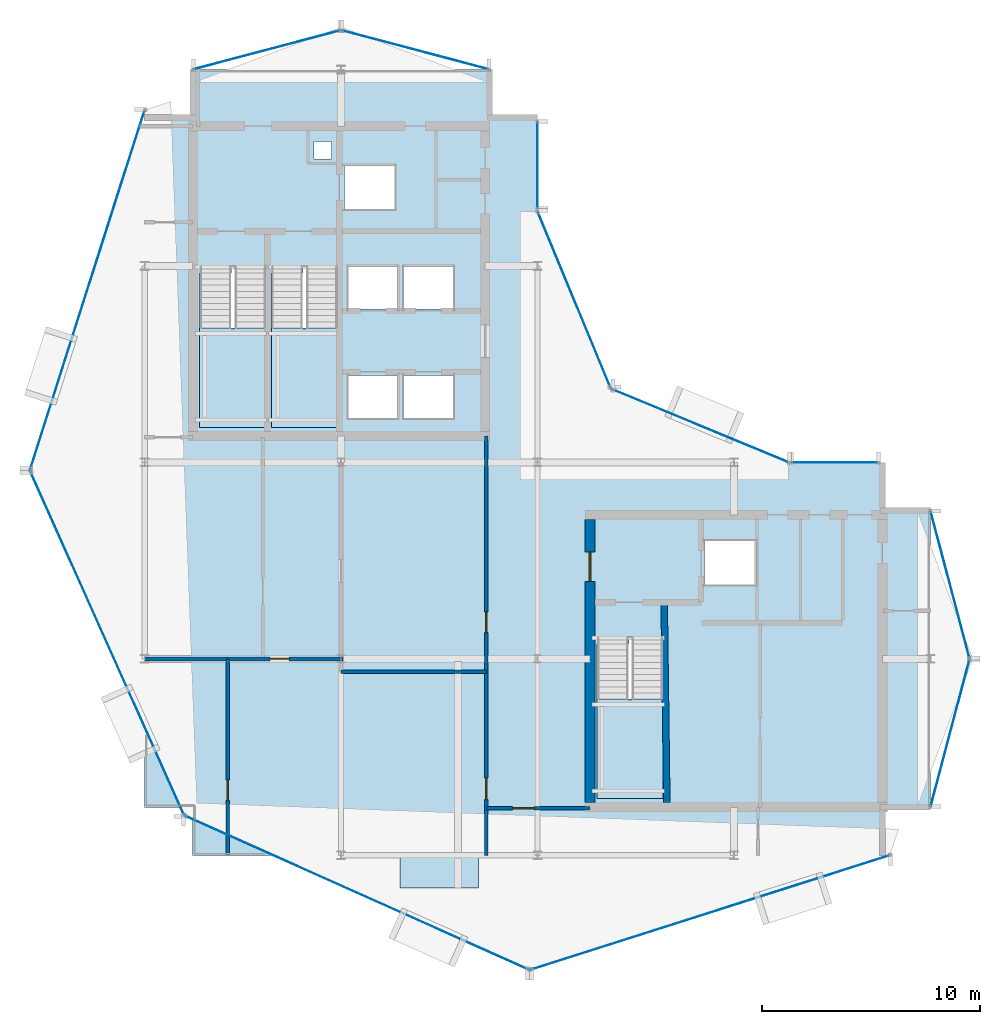
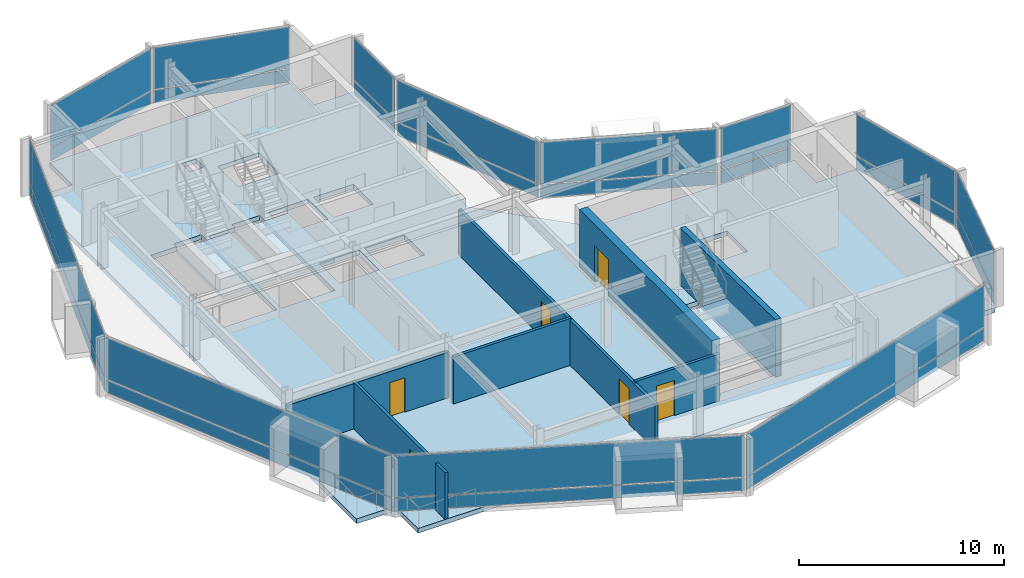
# One storey, part 13 of 19: 24 plates, 7 walls, 6 doors, 5 slabs, 6 openings, 15 elements without a shape of their own.
"""IFC4 building model written with IfcOpenShell, lengths in metres."""

from ifc_helpers import new_model, si_unit, direction, frame, frame_2d, origin, origin_2d, place, context, subcontext, project, spatial, polyline, rectangle, outline, extrude, material, layer, layer_set, type_object, element, fill, aggregate, save


model = new_model("IFC4")

# Units and contexts
model_context = context("Model", 3, precision=1e-05, world=origin(), true_north=direction((0.0, 1.0)))
body_context = subcontext(model_context, "Body", "Model", "MODEL_VIEW")
ifc_project = project(units=[si_unit("LENGTHUNIT", "METRE"), si_unit("AREAUNIT", "SQUARE_METRE"), si_unit("VOLUMEUNIT", "CUBIC_METRE"), si_unit("PLANEANGLEUNIT", "RADIAN"), si_unit("MASSUNIT", "GRAM", prefix="KILO")], contexts=[model_context])

# Site, building, storey
site_placement = place(None, origin())
site = spatial("IfcSite", under=ifc_project, at=site_placement, CompositionType="ELEMENT")
building_placement = place(site_placement, origin())
building = spatial("IfcBuilding", under=site, at=building_placement, Name="Solvaryn Broadcast Tower", CompositionType="ELEMENT")
storey_placement = place(building_placement, frame((0.0, 0.0, 277.800048828125)))
storey = spatial("IfcBuildingStorey", under=building, at=storey_placement, Name="L70", CompositionType="ELEMENT", Elevation=277.800048828125)

# Curtain wall, plates
ifc_material_1 = material(Name="Aluminium and Terracotta Unitised Curtain Wall", Category="masonry")
ifc_layer_1 = layer(ifc_material_1, 0.199951171875)
ifc_layer_set_1 = layer_set([ifc_layer_1], Name="CW-SYS2-LOWMID")
curtain_wall_type_1 = type_object("IfcCurtainWallType", Name="CW-SYS2-LOWMID", PredefinedType="NOTDEFINED", material=ifc_layer_set_1)
curtain_wall_1_placement = place(storey_placement, origin())
curtain_wall_1 = element("IfcCurtainWall", 1, at=curtain_wall_1_placement, inside=storey, type_object=curtain_wall_type_1, Name="L70 Curtain Wall DR1", PredefinedType="NOTDEFINED")
ifc_material_2 = material(Name="Kiln-Fired Architectural Terracotta Spandrel", Category="masonry")
ifc_layer_2 = layer(ifc_material_2, 0.048095703125)
ifc_layer_set_2 = layer_set([ifc_layer_2], Name="CW-PNL-TERRACOTTA")
plate_type = type_object("IfcPlateType", Name="CW-PNL-TERRACOTTA", PredefinedType="CURTAIN_PANEL", material=ifc_layer_set_2)
plate_1_placement = place(storey_placement, frame((6.368896484375, 34.892578125, 0.06005859375), z_axis=(0.0, 0.0, 1.0), x_axis=(-0.30361564569, -0.952794594701, 0.0)))
plate_1 = element("IfcPlate", 2, at=plate_1_placement, type_object=plate_type, Name="CWS2 panel 1.1", PredefinedType="CURTAIN_PANEL", context=body_context, shape_type="SweptSolid", body=[
    extrude(rectangle(XDim=17.211181640625, YDim=0.028076171875, at=origin_2d()), origin(), (0.0, 0.0, 1.0), 0.760009765625),
])
plate_2_placement = place(storey_placement, frame((6.368896484375, 34.892578125, 0.8798828125), z_axis=(0.0, 0.0, 1.0), x_axis=(-0.30361564569, -0.952794594701, 0.0)))
plate_2 = element("IfcPlate", 3, at=plate_2_placement, type_object=plate_type, Name="CWS2 panel 1.2", PredefinedType="CURTAIN_PANEL", context=body_context, shape_type="SweptSolid", body=[
    extrude(rectangle(XDim=17.211181640625, YDim=0.028076171875, at=origin_2d()), origin(), (0.0, 0.0, 1.0), 2.47998046875),
])
aggregate(curtain_wall_1, [plate_1, plate_2])

ifc_material_3 = material(Name="Aluminium and Terracotta Unitised Curtain Wall", Category="masonry")
ifc_layer_3 = layer(ifc_material_3, 0.239990234375)
ifc_layer_set_3 = layer_set([ifc_layer_3], Name="CW-SYS3-BAYBOX")
curtain_wall_type_2 = type_object("IfcCurtainWallType", Name="CW-SYS3-BAYBOX", PredefinedType="NOTDEFINED", material=ifc_layer_set_3)
curtain_wall_2_placement = place(storey_placement, origin())
curtain_wall_2 = element("IfcCurtainWall", 4, at=curtain_wall_2_placement, inside=storey, type_object=curtain_wall_type_2, Name="L70 Curtain Wall DR2", PredefinedType="NOTDEFINED")
plate_3_placement = place(storey_placement, frame((7.277587890625, 18.7265625, 0.06005859375), z_axis=(0.0, 0.0, 1.0), x_axis=(0.408466010682, -0.912773530574, 0.0)))
plate_3 = element("IfcPlate", 5, at=plate_3_placement, type_object=plate_type, Name="CWS3 panel 1.1", PredefinedType="CURTAIN_PANEL", context=body_context, shape_type="SweptSolid", body=[
    extrude(rectangle(XDim=17.210693359375, YDim=0.028076171875, at=origin_2d()), origin(), (0.0, 0.0, 1.0), 0.760009765625),
])
plate_4_placement = place(storey_placement, frame((7.277587890625, 18.7265625, 0.8798828125), z_axis=(0.0, 0.0, 1.0), x_axis=(0.408466010682, -0.912773530574, 0.0)))
plate_4 = element("IfcPlate", 6, at=plate_4_placement, type_object=plate_type, Name="CWS3 panel 1.2", PredefinedType="CURTAIN_PANEL", context=body_context, shape_type="SweptSolid", body=[
    extrude(rectangle(XDim=17.210693359375, YDim=0.028076171875, at=origin_2d()), origin(), (0.0, 0.0, 1.0), 2.47998046875),
])
aggregate(curtain_wall_2, [plate_3, plate_4])

curtain_wall_3_placement = place(storey_placement, origin())
curtain_wall_3 = element("IfcCurtainWall", 7, at=curtain_wall_3_placement, inside=storey, type_object=curtain_wall_type_1, Name="L70 Curtain Wall DR3", PredefinedType="NOTDEFINED")
plate_5_placement = place(storey_placement, frame((18.7265625, 7.277587890625, 0.06005859375), z_axis=(0.0, 0.0, 1.0), x_axis=(0.912773530574, -0.408466010682, 0.0)))
plate_5 = element("IfcPlate", 8, at=plate_5_placement, type_object=plate_type, Name="CWS2 panel 1.1", PredefinedType="CURTAIN_PANEL", context=body_context, shape_type="SweptSolid", body=[
    extrude(rectangle(XDim=17.210693359375, YDim=0.028076171875, at=origin_2d()), origin(), (0.0, 0.0, 1.0), 0.760009765625),
])
plate_6_placement = place(storey_placement, frame((18.7265625, 7.277587890625, 0.8798828125), z_axis=(0.0, 0.0, 1.0), x_axis=(0.912773530574, -0.408466010682, 0.0)))
plate_6 = element("IfcPlate", 9, at=plate_6_placement, type_object=plate_type, Name="CWS2 panel 1.2", PredefinedType="CURTAIN_PANEL", context=body_context, shape_type="SweptSolid", body=[
    extrude(rectangle(XDim=17.210693359375, YDim=0.028076171875, at=origin_2d()), origin(), (0.0, 0.0, 1.0), 2.47998046875),
])
aggregate(curtain_wall_3, [plate_5, plate_6])

curtain_wall_4_placement = place(storey_placement, origin())
curtain_wall_4 = element("IfcCurtainWall", 10, at=curtain_wall_4_placement, inside=storey, type_object=curtain_wall_type_1, Name="L70 Curtain Wall DR4", PredefinedType="NOTDEFINED")
plate_7_placement = place(storey_placement, frame((34.892578125, 6.368896484375, 0.06005859375), z_axis=(0.0, 0.0, 1.0), x_axis=(0.952794594701, 0.30361564569, 0.0)))
plate_7 = element("IfcPlate", 11, at=plate_7_placement, type_object=plate_type, Name="CWS2 panel 1.1", PredefinedType="CURTAIN_PANEL", context=body_context, shape_type="SweptSolid", body=[
    extrude(rectangle(XDim=17.211181640625, YDim=0.028076171875, at=origin_2d()), origin(), (0.0, 0.0, 1.0), 0.760009765625),
])
plate_8_placement = place(storey_placement, frame((34.892578125, 6.368896484375, 0.8798828125), z_axis=(0.0, 0.0, 1.0), x_axis=(0.952794594701, 0.30361564569, 0.0)))
plate_8 = element("IfcPlate", 12, at=plate_8_placement, type_object=plate_type, Name="CWS2 panel 1.2", PredefinedType="CURTAIN_PANEL", context=body_context, shape_type="SweptSolid", body=[
    extrude(rectangle(XDim=17.211181640625, YDim=0.028076171875, at=origin_2d()), origin(), (0.0, 0.0, 1.0), 2.47998046875),
])
aggregate(curtain_wall_4, [plate_7, plate_8])

curtain_wall_5_placement = place(storey_placement, origin())
curtain_wall_5 = element("IfcCurtainWall", 13, at=curtain_wall_5_placement, inside=storey, type_object=curtain_wall_type_1, Name="L70 Curtain Wall IV", PredefinedType="NOTDEFINED")
plate_9_placement = place(storey_placement, frame((27.0, 40.625, 0.06005859375), z_axis=(0.0, 0.0, 1.0), x_axis=(0.0, -1.0, 0.0)))
plate_9 = element("IfcPlate", 14, at=plate_9_placement, type_object=plate_type, Name="CWS2 panel 1.1", PredefinedType="CURTAIN_PANEL", context=body_context, shape_type="SweptSolid", body=[
    extrude(rectangle(XDim=3.929931640625, YDim=0.028076171875, at=origin_2d()), origin(), (0.0, 0.0, 1.0), 0.760009765625),
])
plate_10_placement = place(storey_placement, frame((27.0, 40.625, 0.8798828125), z_axis=(0.0, 0.0, 1.0), x_axis=(0.0, -1.0, 0.0)))
plate_10 = element("IfcPlate", 15, at=plate_10_placement, type_object=plate_type, Name="CWS2 panel 1.2", PredefinedType="CURTAIN_PANEL", context=body_context, shape_type="SweptSolid", body=[
    extrude(rectangle(XDim=3.929931640625, YDim=0.028076171875, at=origin_2d()), origin(), (0.0, 0.0, 1.0), 2.47998046875),
])
aggregate(curtain_wall_5, [plate_9, plate_10])

curtain_wall_6_placement = place(storey_placement, origin())
curtain_wall_6 = element("IfcCurtainWall", 16, at=curtain_wall_6_placement, inside=storey, type_object=curtain_wall_type_1, Name="L70 Curtain Wall CN1", PredefinedType="NOTDEFINED")
plate_11_placement = place(storey_placement, frame((34.43408203125, 28.68408203125, 0.06005859375), z_axis=(0.0, 0.0, 1.0), x_axis=(-0.923894983957, 0.382646127145, 0.0)))
plate_11 = element("IfcPlate", 17, at=plate_11_placement, type_object=plate_type, Name="CWS2 panel 1.1", PredefinedType="CURTAIN_PANEL", context=body_context, shape_type="SweptSolid", body=[
    extrude(rectangle(XDim=8.681884765625, YDim=0.028076171875, at=origin_2d()), origin(), (0.0, 0.0, 1.0), 0.760009765625),
])
plate_12_placement = place(storey_placement, frame((34.43408203125, 28.68408203125, 0.8798828125), z_axis=(0.0, 0.0, 1.0), x_axis=(-0.923894983957, 0.382646127145, 0.0)))
plate_12 = element("IfcPlate", 18, at=plate_12_placement, type_object=plate_type, Name="CWS2 panel 1.2", PredefinedType="CURTAIN_PANEL", context=body_context, shape_type="SweptSolid", body=[
    extrude(rectangle(XDim=8.681884765625, YDim=0.028076171875, at=origin_2d()), origin(), (0.0, 0.0, 1.0), 2.47998046875),
])
aggregate(curtain_wall_6, [plate_11, plate_12])

curtain_wall_7_placement = place(storey_placement, origin())
curtain_wall_7 = element("IfcCurtainWall", 19, at=curtain_wall_7_placement, inside=storey, type_object=curtain_wall_type_1, Name="L70 Curtain Wall CN2", PredefinedType="NOTDEFINED")
plate_13_placement = place(storey_placement, frame((28.68408203125, 34.43408203125, 0.06005859375), z_axis=(0.0, 0.0, 1.0), x_axis=(-0.382646127145, 0.923894983957, 0.0)))
plate_13 = element("IfcPlate", 20, at=plate_13_placement, type_object=plate_type, Name="CWS2 panel 1.1", PredefinedType="CURTAIN_PANEL", context=body_context, shape_type="SweptSolid", body=[
    extrude(rectangle(XDim=8.681884765625, YDim=0.028076171875, at=origin_2d()), origin(), (0.0, 0.0, 1.0), 0.760009765625),
])
plate_14_placement = place(storey_placement, frame((28.68408203125, 34.43408203125, 0.8798828125), z_axis=(0.0, 0.0, 1.0), x_axis=(-0.382646127145, 0.923894983957, 0.0)))
plate_14 = element("IfcPlate", 21, at=plate_14_placement, type_object=plate_type, Name="CWS2 panel 1.2", PredefinedType="CURTAIN_PANEL", context=body_context, shape_type="SweptSolid", body=[
    extrude(rectangle(XDim=8.681884765625, YDim=0.028076171875, at=origin_2d()), origin(), (0.0, 0.0, 1.0), 2.47998046875),
])
aggregate(curtain_wall_7, [plate_13, plate_14])

curtain_wall_8_placement = place(storey_placement, origin())
curtain_wall_8 = element("IfcCurtainWall", 22, at=curtain_wall_8_placement, inside=storey, type_object=curtain_wall_type_1, Name="L70 Curtain Wall NT1", PredefinedType="NOTDEFINED")
plate_15_placement = place(storey_placement, frame((21.39990234375, 45.89990234375, 0.06005859375), z_axis=(0.0, 0.0, 1.0), x_axis=(-0.966705227863, 0.25589256031, 0.0)))
plate_15 = element("IfcPlate", 23, at=plate_15_placement, type_object=plate_type, Name="CWS2 panel 1.1", PredefinedType="CURTAIN_PANEL", context=body_context, shape_type="SweptSolid", body=[
    extrude(rectangle(XDim=6.914306640625, YDim=0.028076171875, at=origin_2d()), origin(), (0.0, 0.0, 1.0), 0.760009765625),
])
plate_16_placement = place(storey_placement, frame((21.39990234375, 45.89990234375, 0.8798828125), z_axis=(0.0, 0.0, 1.0), x_axis=(-0.966705227863, 0.25589256031, 0.0)))
plate_16 = element("IfcPlate", 24, at=plate_16_placement, type_object=plate_type, Name="CWS2 panel 1.2", PredefinedType="CURTAIN_PANEL", context=body_context, shape_type="SweptSolid", body=[
    extrude(rectangle(XDim=6.914306640625, YDim=0.028076171875, at=origin_2d()), origin(), (0.0, 0.0, 1.0), 2.47998046875),
])
aggregate(curtain_wall_8, [plate_15, plate_16])

curtain_wall_9_placement = place(storey_placement, origin())
curtain_wall_9 = element("IfcCurtainWall", 25, at=curtain_wall_9_placement, inside=storey, type_object=curtain_wall_type_1, Name="L70 Curtain Wall NT2", PredefinedType="NOTDEFINED")
plate_17_placement = place(storey_placement, frame((14.60009765625, 45.89990234375, 0.06005859375), z_axis=(0.0, 0.0, 1.0), x_axis=(-0.966705227863, -0.25589256031, 0.0)))
plate_17 = element("IfcPlate", 26, at=plate_17_placement, type_object=plate_type, Name="CWS2 panel 1.1", PredefinedType="CURTAIN_PANEL", context=body_context, shape_type="SweptSolid", body=[
    extrude(rectangle(XDim=6.914306640625, YDim=0.028076171875, at=origin_2d()), origin(), (0.0, 0.0, 1.0), 0.760009765625),
])
plate_18_placement = place(storey_placement, frame((14.60009765625, 45.89990234375, 0.8798828125), z_axis=(0.0, 0.0, 1.0), x_axis=(-0.966705227863, -0.25589256031, 0.0)))
plate_18 = element("IfcPlate", 27, at=plate_18_placement, type_object=plate_type, Name="CWS2 panel 1.2", PredefinedType="CURTAIN_PANEL", context=body_context, shape_type="SweptSolid", body=[
    extrude(rectangle(XDim=6.914306640625, YDim=0.028076171875, at=origin_2d()), origin(), (0.0, 0.0, 1.0), 2.47998046875),
])
aggregate(curtain_wall_9, [plate_17, plate_18])

curtain_wall_10_placement = place(storey_placement, origin())
curtain_wall_10 = element("IfcCurtainWall", 28, at=curtain_wall_10_placement, inside=storey, type_object=curtain_wall_type_1, Name="L70 Curtain Wall ET1", PredefinedType="NOTDEFINED")
plate_19_placement = place(storey_placement, frame((45.89990234375, 21.39990234375, 0.06005859375), z_axis=(0.0, 0.0, 1.0), x_axis=(0.25589256031, -0.966705227863, 0.0)))
plate_19 = element("IfcPlate", 29, at=plate_19_placement, type_object=plate_type, Name="CWS2 panel 1.1", PredefinedType="CURTAIN_PANEL", context=body_context, shape_type="SweptSolid", body=[
    extrude(rectangle(XDim=6.914306640625, YDim=0.028076171875, at=origin_2d()), origin(), (0.0, 0.0, 1.0), 0.760009765625),
])
plate_20_placement = place(storey_placement, frame((45.89990234375, 21.39990234375, 0.8798828125), z_axis=(0.0, 0.0, 1.0), x_axis=(0.25589256031, -0.966705227863, 0.0)))
plate_20 = element("IfcPlate", 30, at=plate_20_placement, type_object=plate_type, Name="CWS2 panel 1.2", PredefinedType="CURTAIN_PANEL", context=body_context, shape_type="SweptSolid", body=[
    extrude(rectangle(XDim=6.914306640625, YDim=0.028076171875, at=origin_2d()), origin(), (0.0, 0.0, 1.0), 2.47998046875),
])
aggregate(curtain_wall_10, [plate_19, plate_20])

curtain_wall_11_placement = place(storey_placement, origin())
curtain_wall_11 = element("IfcCurtainWall", 31, at=curtain_wall_11_placement, inside=storey, type_object=curtain_wall_type_1, Name="L70 Curtain Wall ET2", PredefinedType="NOTDEFINED")
plate_21_placement = place(storey_placement, frame((45.89990234375, 14.60009765625, 0.06005859375), z_axis=(0.0, 0.0, 1.0), x_axis=(-0.25589256031, -0.966705227863, 0.0)))
plate_21 = element("IfcPlate", 32, at=plate_21_placement, type_object=plate_type, Name="CWS2 panel 1.1", PredefinedType="CURTAIN_PANEL", context=body_context, shape_type="SweptSolid", body=[
    extrude(rectangle(XDim=6.914306640625, YDim=0.028076171875, at=origin_2d()), origin(), (0.0, 0.0, 1.0), 0.760009765625),
])
plate_22_placement = place(storey_placement, frame((45.89990234375, 14.60009765625, 0.8798828125), z_axis=(0.0, 0.0, 1.0), x_axis=(-0.25589256031, -0.966705227863, 0.0)))
plate_22 = element("IfcPlate", 33, at=plate_22_placement, type_object=plate_type, Name="CWS2 panel 1.2", PredefinedType="CURTAIN_PANEL", context=body_context, shape_type="SweptSolid", body=[
    extrude(rectangle(XDim=6.914306640625, YDim=0.028076171875, at=origin_2d()), origin(), (0.0, 0.0, 1.0), 2.47998046875),
])
aggregate(curtain_wall_11, [plate_21, plate_22])

curtain_wall_12_placement = place(storey_placement, origin())
curtain_wall_12 = element("IfcCurtainWall", 34, at=curtain_wall_12_placement, inside=storey, type_object=curtain_wall_type_1, Name="L70 Curtain Wall IH", PredefinedType="NOTDEFINED")
plate_23_placement = place(storey_placement, frame((40.625, 27.0, 0.06005859375), z_axis=(0.0, 0.0, 1.0), x_axis=(1.0, 0.0, 0.0)))
plate_23 = element("IfcPlate", 35, at=plate_23_placement, type_object=plate_type, Name="CWS2 panel 1.1", PredefinedType="CURTAIN_PANEL", context=body_context, shape_type="SweptSolid", body=[
    extrude(rectangle(XDim=3.929931640625, YDim=0.028076171875, at=origin_2d()), origin(), (0.0, 0.0, 1.0), 0.760009765625),
])
plate_24_placement = place(storey_placement, frame((40.625, 27.0, 0.8798828125), z_axis=(0.0, 0.0, 1.0), x_axis=(1.0, 0.0, 0.0)))
plate_24 = element("IfcPlate", 36, at=plate_24_placement, type_object=plate_type, Name="CWS2 panel 1.2", PredefinedType="CURTAIN_PANEL", context=body_context, shape_type="SweptSolid", body=[
    extrude(rectangle(XDim=3.929931640625, YDim=0.028076171875, at=origin_2d()), origin(), (0.0, 0.0, 1.0), 2.47998046875),
])
aggregate(curtain_wall_12, [plate_23, plate_24])

# Slab
ifc_material_4 = material(Name="Concrete f'c 60 MPa", Category="concrete")
ifc_layer_4 = layer(ifc_material_4, 0.2099609375)
ifc_layer_set_4 = layer_set([ifc_layer_4], Name="SL-BAYBOX-210")
slab_type_1 = type_object("IfcSlabType", Name="SL-BAYBOX-210", PredefinedType="FLOOR", material=ifc_layer_set_4)
slab_1_placement = place(storey_placement, frame((0.0, 0.0, -0.2099609375)))
element("IfcSlab", 37, at=slab_1_placement, inside=storey, type_object=slab_type_1, Name="L70 Projecting Bay-Box Slab 1", PredefinedType="FLOOR", context=body_context, shape_type="SweptSolid", body=[
    extrude(outline(polyline([(20.699951171875, 7.5), (24.300048828125, 7.5), (24.300048828125, 9.0), (20.699951171875, 9.0), (20.699951171875, 7.5)])), origin(), (0.0, 0.0, 1.0), 0.2099609375),
])

# Stair, slab
ifc_material_5 = material(Name="Concrete f'c 60 MPa", Category="concrete")
stair_type = type_object("IfcStairType", Name="ST-CORE", PredefinedType="HALF_TURN_STAIR", material=ifc_material_5)
stair_1_placement = place(storey_placement, origin())
stair_1 = element("IfcStair", 38, at=stair_1_placement, inside=storey, type_object=stair_type, Name="L70 ST1", PredefinedType="HALF_TURN_STAIR")
ifc_material_6 = material(Name="Concrete f'c 60 MPa", Category="concrete")
ifc_layer_5 = layer(ifc_material_6, 0.199951171875)
ifc_layer_set_5 = layer_set([ifc_layer_5], Name="SL-LANDING-200")
slab_type_2 = type_object("IfcSlabType", Name="SL-LANDING-200", PredefinedType="LANDING", material=ifc_layer_set_5)
slab_2_placement = place(storey_placement, frame((0.0, 0.0, 1.64990234375)))
slab_2 = element("IfcSlab", 39, at=slab_2_placement, type_object=slab_type_2, Name="ST1 landing 1", PredefinedType="LANDING", context=body_context, shape_type="SweptSolid", body=[
    extrude(outline(polyline([(11.52001953125, 33.159912109375), (11.52001953125, 28.60009765625), (14.550048828125, 28.60009765625), (14.550048828125, 33.159912109375), (11.52001953125, 33.159912109375)])), origin(), (0.0, 0.0, 1.0), 0.199951171875),
])
aggregate(stair_1, [slab_2])

stair_2_placement = place(storey_placement, origin())
stair_2 = element("IfcStair", 40, at=stair_2_placement, inside=storey, type_object=stair_type, Name="L70 ST2", PredefinedType="HALF_TURN_STAIR")
slab_3_placement = place(storey_placement, frame((0.0, 0.0, 1.64990234375)))
slab_3 = element("IfcSlab", 41, at=slab_3_placement, type_object=slab_type_2, Name="ST2 landing 1", PredefinedType="LANDING", context=body_context, shape_type="SweptSolid", body=[
    extrude(outline(polyline([(14.800048828125, 33.159912109375), (14.800048828125, 28.60009765625), (17.830078125, 28.60009765625), (17.830078125, 33.159912109375), (14.800048828125, 33.159912109375)])), origin(), (0.0, 0.0, 1.0), 0.199951171875),
])
aggregate(stair_2, [slab_3])

stair_3_placement = place(storey_placement, origin())
stair_3 = element("IfcStair", 42, at=stair_3_placement, inside=storey, type_object=stair_type, Name="L70 ST3", PredefinedType="HALF_TURN_STAIR")
slab_4_placement = place(storey_placement, frame((0.0, 0.0, 1.64990234375)))
slab_4 = element("IfcSlab", 43, at=slab_4_placement, type_object=slab_type_2, Name="ST3 landing 1", PredefinedType="LANDING", context=body_context, shape_type="SweptSolid", body=[
    extrude(outline(polyline([(29.719970703125, 16.159912109375), (29.719970703125, 11.60009765625), (32.75, 11.60009765625), (32.75, 16.159912109375), (29.719970703125, 16.159912109375)])), origin(), (0.0, 0.0, 1.0), 0.199951171875),
])
aggregate(stair_3, [slab_4])

# Slab
ifc_material_7 = material(Name="Concrete f'c 60 MPa", Category="concrete")
ifc_layer_6 = layer(ifc_material_7, 0.280029296875)
ifc_layer_set_6 = layer_set([ifc_layer_6], Name="SL-TWR-280")
slab_type_3 = type_object("IfcSlabType", Name="SL-TWR-280", PredefinedType="FLOOR", material=ifc_layer_set_6)
slab_5_placement = place(storey_placement, frame((0.0, 0.0, -0.280029296875)))
element("IfcSlab", 44, at=slab_5_placement, inside=storey, type_object=slab_type_3, Name="L70 Structural Floor Slab", PredefinedType="FLOOR", context=body_context, shape_type="SweptSolid", body=[
    extrude(outline(polyline([(11.199951171875, 9.0), (42.800048828125, 9.0), (42.800048828125, 11.199951171875), (45.0, 11.199951171875), (45.0, 24.800048828125), (42.800048828125, 24.800048828125), (42.800048828125, 27.0), (31.5, 27.0), (27.0, 31.5), (27.0, 42.800048828125), (24.800048828125, 42.800048828125), (24.800048828125, 45.0), (11.199951171875, 45.0), (11.199951171875, 42.800048828125), (9.0, 42.800048828125), (9.0, 11.199951171875), (11.199951171875, 11.199951171875), (11.199951171875, 9.0)]), holes=[polyline([(11.52001953125, 28.60009765625), (14.550048828125, 28.60009765625), (14.550048828125, 35.9599609375), (12.97998046875, 35.9599609375), (12.97998046875, 35.679931640625), (11.52001953125, 35.679931640625), (11.52001953125, 28.60009765625)]), polyline([(14.800048828125, 28.60009765625), (17.830078125, 28.60009765625), (17.830078125, 35.9599609375), (16.260009765625, 35.9599609375), (16.260009765625, 35.679931640625), (14.800048828125, 35.679931640625), (14.800048828125, 28.60009765625)]), polyline([(29.719970703125, 11.60009765625), (32.75, 11.60009765625), (32.75, 18.9599609375), (31.179931640625, 18.9599609375), (31.179931640625, 18.679931640625), (29.719970703125, 18.679931640625), (29.719970703125, 11.60009765625)]), polyline([(18.14990234375, 38.60009765625), (20.449951171875, 38.60009765625), (20.449951171875, 40.60009765625), (18.14990234375, 40.60009765625), (18.14990234375, 38.60009765625)]), polyline([(18.324951171875, 29.02490234375), (20.574951171875, 29.02490234375), (20.574951171875, 30.97509765625), (18.324951171875, 30.97509765625), (18.324951171875, 29.02490234375)]), polyline([(20.875, 29.02490234375), (23.125, 29.02490234375), (23.125, 30.97509765625), (20.875, 30.97509765625), (20.875, 29.02490234375)]), polyline([(18.324951171875, 34.02490234375), (20.574951171875, 34.02490234375), (20.574951171875, 35.97509765625), (18.324951171875, 35.97509765625), (18.324951171875, 34.02490234375)]), polyline([(20.875, 34.02490234375), (23.125, 34.02490234375), (23.125, 35.97509765625), (20.875, 35.97509765625), (20.875, 34.02490234375)]), polyline([(34.64990234375, 21.39990234375), (36.949951171875, 21.39990234375), (36.949951171875, 23.39990234375), (34.64990234375, 23.39990234375), (34.64990234375, 21.39990234375)]), polyline([(16.75, 40.89990234375), (17.550048828125, 40.89990234375), (17.550048828125, 41.699951171875), (16.75, 41.699951171875), (16.75, 40.89990234375)])]), origin(), (0.0, 0.0, 1.0), 0.280029296875),
])

# Wall, opening, door
ifc_material_8 = material(Name="Concrete f'c 70 MPa", Category="concrete")
ifc_layer_7 = layer(ifc_material_8, 0.449951171875)
ifc_layer_set_7 = layer_set([ifc_layer_7], Name="CW-SHEAR-450")
wall_type_1 = type_object("IfcWallType", Name="CW-SHEAR-450", PredefinedType="SHEAR", material=ifc_layer_set_7)
wall_1_placement = place(storey_placement, frame((29.39990234375, 24.375, 0.0), z_axis=(0.0, 0.0, 1.0), x_axis=(0.0, -1.0, 0.0)))
wall_1 = element("IfcWall", 45, at=wall_1_placement, inside=storey, type_object=wall_type_1, Name="L70 East Core West Shear Wall", PredefinedType="SHEAR", context=body_context, shape_type="SweptSolid", body=[
    extrude(rectangle(XDim=12.949951171875, YDim=0.449951171875, at=frame_2d((6.47509765625, 0.0))), origin(), (0.0, 0.0, 1.0), 3.419921875),
])
opening_1_placement = place(wall_1_placement, frame((1.47509765625, 0.0, 0.0)))
opening_1 = element("IfcOpeningElement", 46, at=opening_1_placement, cuts=wall_1, Name="Opening FD90B", PredefinedType="OPENING", context=body_context, shape_type="SweptSolid", body=[
    extrude(rectangle(XDim=1.35009765625, YDim=2.14990234375, at=frame_2d((0.675048828125, 1.074951171875))), frame((0.0, 0.235107421875, 0.0), z_axis=(0.0, -1.0, 0.0), x_axis=(1.0, 0.0, 0.0)), (0.0, 0.0, 1.0), 0.469970703125),
])
ifc_material_9 = material(Name="Flush Acoustic Steel and Timber Door Assembly", Category="steel")
door_type_1 = type_object("IfcDoorType", Name="FD90-LOBBY-1350X2150", OperationType="NOTDEFINED", PredefinedType="DOOR", material=ifc_material_9)
door_1_placement = place(opening_1_placement, origin())
door_1 = element("IfcDoor", 47, at=door_1_placement, inside=storey, type_object=door_type_1, Name="L70 East FSAE Lobby Door", OperationType="SINGLE_SWING_RIGHT", OverallHeight=2.14990234375, OverallWidth=1.35009765625, PredefinedType="DOOR", context=body_context, shape_type="SweptSolid", body=[
    extrude(rectangle(XDim=1.35009765625, YDim=2.14990234375, at=frame_2d((0.675048828125, 1.074951171875))), frame((0.0, 0.02490234375, 0.0), z_axis=(0.0, -1.0, 0.0), x_axis=(1.0, 0.0, 0.0)), (0.0, 0.0, 1.0), 0.050048828125),
])
fill(opening_1, door_1)

# Wall, openings, doors
ifc_material_10 = material(Name="Metal-Stud Gypsum Office Partition")
ifc_layer_8 = layer(ifc_material_10, 0.159912109375)
ifc_layer_set_8 = layer_set([ifc_layer_8], Name="IW-PART-160")
wall_type_2 = type_object("IfcWallType", Name="IW-PART-160", PredefinedType="PARTITIONING", material=ifc_layer_set_8)
wall_2_placement = place(storey_placement, frame((24.64990234375, 9.0, 0.0), z_axis=(0.0, 0.0, 1.0), x_axis=(0.0, 1.0, 0.0)))
wall_2 = element("IfcWall", 48, at=wall_2_placement, inside=storey, type_object=wall_type_2, Name="L70 Interior Partition IW-L70-SW-EB", PredefinedType="PARTITIONING", context=body_context, shape_type="SweptSolid", body=[
    extrude(rectangle(XDim=19.199951171875, YDim=0.159912109375, at=frame_2d((9.60009765625, 0.0))), origin(), (0.0, 0.0, 1.0), 2.70703125),
])
opening_2_placement = place(wall_2_placement, frame((10.199951171875, 0.0, 0.0)))
opening_2 = element("IfcOpeningElement", 49, at=opening_2_placement, cuts=wall_2, Name="Opening ID01", PredefinedType="OPENING", context=body_context, shape_type="SweptSolid", body=[
    extrude(rectangle(XDim=0.949951171875, YDim=2.10009765625, at=frame_2d((0.47509765625, 1.050048828125))), frame((0.0, 0.090087890625, 0.0), z_axis=(0.0, -1.0, 0.0), x_axis=(1.0, 0.0, 0.0)), (0.0, 0.0, 1.0), 0.179931640625),
])
opening_3_placement = place(wall_2_placement, frame((2.550048828125, 0.0, 0.0)))
opening_3 = element("IfcOpeningElement", 50, at=opening_3_placement, cuts=wall_2, Name="Opening ID02", PredefinedType="OPENING", context=body_context, shape_type="SweptSolid", body=[
    extrude(rectangle(XDim=1.0, YDim=2.10009765625, at=frame_2d((0.5, 1.050048828125))), frame((0.0, 0.090087890625, 0.0), z_axis=(0.0, -1.0, 0.0), x_axis=(1.0, 0.0, 0.0)), (0.0, 0.0, 1.0), 0.179931640625),
])
ifc_material_11 = material(Name="Flush Acoustic Steel and Timber Door Assembly", Category="steel")
door_type_2 = type_object("IfcDoorType", Name="ID-01-950X2100", OperationType="NOTDEFINED", PredefinedType="DOOR", material=ifc_material_11)
door_2_placement = place(opening_2_placement, origin())
door_2 = element("IfcDoor", 51, at=door_2_placement, inside=storey, type_object=door_type_2, Name="L70 Door DR-L70-SWL-E1", OperationType="SINGLE_SWING_RIGHT", OverallHeight=2.10009765625, OverallWidth=0.949951171875, PredefinedType="DOOR", context=body_context, shape_type="SweptSolid", body=[
    extrude(rectangle(XDim=0.949951171875, YDim=2.10009765625, at=frame_2d((0.47509765625, 1.050048828125))), frame((0.0, 0.02490234375, 0.0), z_axis=(0.0, -1.0, 0.0), x_axis=(1.0, 0.0, 0.0)), (0.0, 0.0, 1.0), 0.050048828125),
])
fill(opening_2, door_2)
ifc_material_12 = material(Name="Flush Acoustic Steel and Timber Door Assembly", Category="steel")
door_type_3 = type_object("IfcDoorType", Name="ID-02-1000X2100", OperationType="NOTDEFINED", PredefinedType="DOOR", material=ifc_material_12)
door_3_placement = place(opening_3_placement, origin())
door_3 = element("IfcDoor", 52, at=door_3_placement, inside=storey, type_object=door_type_3, Name="L70 Door DR-L70-SWL-E2", OperationType="SINGLE_SWING_LEFT", OverallHeight=2.10009765625, OverallWidth=1.0, PredefinedType="DOOR", context=body_context, shape_type="SweptSolid", body=[
    extrude(rectangle(XDim=1.0, YDim=2.10009765625, at=frame_2d((0.5, 1.050048828125))), frame((0.0, 0.02490234375, 0.0), z_axis=(0.0, -1.0, 0.0), x_axis=(1.0, 0.0, 0.0)), (0.0, 0.0, 1.0), 0.050048828125),
])
fill(opening_3, door_3)

# Wall
wall_3_placement = place(storey_placement, frame((18.0, 17.39990234375, 0.0), z_axis=(0.0, 0.0, 1.0), x_axis=(1.0, 0.0, 0.0)))
element("IfcWall", 53, at=wall_3_placement, inside=storey, type_object=wall_type_2, Name="L70 Interior Partition IW-L70-SW-RH", PredefinedType="PARTITIONING", context=body_context, shape_type="SweptSolid", body=[
    extrude(rectangle(XDim=6.64990234375, YDim=0.159912109375, at=frame_2d((3.324951171875, 0.0))), origin(), (0.0, 0.0, 1.0), 2.7919921875),
])

# Wall, opening, door
wall_4_placement = place(storey_placement, frame((12.800048828125, 9.0, 0.0), z_axis=(0.0, 0.0, 1.0), x_axis=(0.0, 1.0, 0.0)))
wall_4 = element("IfcWall", 54, at=wall_4_placement, inside=storey, type_object=wall_type_2, Name="L70 Interior Partition IW-L70-SW-SWV", PredefinedType="PARTITIONING", context=body_context, shape_type="SweptSolid", body=[
    extrude(rectangle(XDim=9.0, YDim=0.159912109375, at=frame_2d((4.5, 0.0))), origin(), (0.0, 0.0, 1.0), 2.7890625),
])
opening_4_placement = place(wall_4_placement, frame((2.5, 0.0, 0.0)))
opening_4 = element("IfcOpeningElement", 55, at=opening_4_placement, cuts=wall_4, Name="Opening ID01", PredefinedType="OPENING", context=body_context, shape_type="SweptSolid", body=[
    extrude(rectangle(XDim=0.949951171875, YDim=2.10009765625, at=frame_2d((0.47509765625, 1.050048828125))), frame((0.0, 0.090087890625, 0.0), z_axis=(0.0, -1.0, 0.0), x_axis=(1.0, 0.0, 0.0)), (0.0, 0.0, 1.0), 0.179931640625),
])
door_4_placement = place(opening_4_placement, origin())
door_4 = element("IfcDoor", 56, at=door_4_placement, inside=storey, type_object=door_type_2, Name="L70 Door DR-L70-SWL-SW", OperationType="SINGLE_SWING_LEFT", OverallHeight=2.10009765625, OverallWidth=0.949951171875, PredefinedType="DOOR", context=body_context, shape_type="SweptSolid", body=[
    extrude(rectangle(XDim=0.949951171875, YDim=2.10009765625, at=frame_2d((0.47509765625, 1.050048828125))), frame((0.0, 0.02490234375, 0.0), z_axis=(0.0, -1.0, 0.0), x_axis=(1.0, 0.0, 0.0)), (0.0, 0.0, 1.0), 0.050048828125),
])
fill(opening_4, door_4)

wall_5_placement = place(storey_placement, frame((24.64990234375, 11.14990234375, 0.0), z_axis=(0.0, 0.0, 1.0), x_axis=(1.0, 0.0, 0.0)))
wall_5 = element("IfcWall", 57, at=wall_5_placement, inside=storey, type_object=wall_type_2, Name="L70 Interior Partition IW-L70-SC-N", PredefinedType="PARTITIONING", context=body_context, shape_type="SweptSolid", body=[
    extrude(rectangle(XDim=4.75, YDim=0.159912109375, at=frame_2d((2.375, 0.0))), origin(), (0.0, 0.0, 1.0), 2.7919921875),
])
opening_5_placement = place(wall_5_placement, frame((1.199951171875, 0.0, 0.0)))
opening_5 = element("IfcOpeningElement", 58, at=opening_5_placement, cuts=wall_5, Name="Opening ID02", PredefinedType="OPENING", context=body_context, shape_type="SweptSolid", body=[
    extrude(rectangle(XDim=1.0, YDim=2.10009765625, at=frame_2d((0.5, 1.050048828125))), frame((0.0, 0.090087890625, 0.0), z_axis=(0.0, -1.0, 0.0), x_axis=(1.0, 0.0, 0.0)), (0.0, 0.0, 1.0), 0.179931640625),
])
door_5_placement = place(opening_5_placement, origin())
door_5 = element("IfcDoor", 59, at=door_5_placement, inside=storey, type_object=door_type_3, Name="L70 Door DR-L70-SC0", OperationType="SINGLE_SWING_RIGHT", OverallHeight=2.10009765625, OverallWidth=1.0, PredefinedType="DOOR", context=body_context, shape_type="SweptSolid", body=[
    extrude(rectangle(XDim=1.0, YDim=2.10009765625, at=frame_2d((0.5, 1.050048828125))), frame((0.0, 0.02490234375, 0.0), z_axis=(0.0, -1.0, 0.0), x_axis=(1.0, 0.0, 0.0)), (0.0, 0.0, 1.0), 0.050048828125),
])
fill(opening_5, door_5)

ifc_material_13 = material(Name="Acoustic Metal-Stud Gypsum Partition")
ifc_layer_9 = layer(ifc_material_13, 0.179931640625)
ifc_layer_set_9 = layer_set([ifc_layer_9], Name="IW-PART-180")
wall_type_3 = type_object("IfcWallType", Name="IW-PART-180", PredefinedType="PARTITIONING", material=ifc_layer_set_9)
wall_6_placement = place(storey_placement, frame((9.0, 18.0, 0.0), z_axis=(0.0, 0.0, 1.0), x_axis=(1.0, 0.0, 0.0)))
wall_6 = element("IfcWall", 60, at=wall_6_placement, inside=storey, type_object=wall_type_3, Name="L70 Interior Partition IW-L70-SW-LH", PredefinedType="PARTITIONING", context=body_context, shape_type="SweptSolid", body=[
    extrude(rectangle(XDim=9.080078125, YDim=0.179931640625, at=frame_2d((4.5400390625, 0.0))), origin(), (0.0, 0.0, 1.0), 2.70703125),
])
opening_6_placement = place(wall_6_placement, frame((5.75, 0.0, 0.0)))
opening_6 = element("IfcOpeningElement", 61, at=opening_6_placement, cuts=wall_6, Name="Opening ID07", PredefinedType="OPENING", context=body_context, shape_type="SweptSolid", body=[
    extrude(rectangle(XDim=0.860107421875, YDim=2.050048828125, at=frame_2d((0.43017578125, 1.02490234375))), frame((0.0, 0.099853515625, 0.0), z_axis=(0.0, -1.0, 0.0), x_axis=(1.0, 0.0, 0.0)), (0.0, 0.0, 1.0), 0.199951171875),
])
ifc_material_14 = material(Name="Flush Acoustic Steel and Timber Door Assembly", Category="steel")
door_type_4 = type_object("IfcDoorType", Name="ID-07-860X2050", OperationType="NOTDEFINED", PredefinedType="DOOR", material=ifc_material_14)
door_6_placement = place(opening_6_placement, origin())
door_6 = element("IfcDoor", 62, at=door_6_placement, inside=storey, type_object=door_type_4, Name="L70 Door DR-L70-SWL-LH", OperationType="SINGLE_SWING_RIGHT", OverallHeight=2.050048828125, OverallWidth=0.860107421875, PredefinedType="DOOR", context=body_context, shape_type="SweptSolid", body=[
    extrude(rectangle(XDim=0.860107421875, YDim=2.050048828125, at=frame_2d((0.43017578125, 1.02490234375))), frame((0.0, 0.02490234375, 0.0), z_axis=(0.0, -1.0, 0.0), x_axis=(1.0, 0.0, 0.0)), (0.0, 0.0, 1.0), 0.050048828125),
])
fill(opening_6, door_6)

# Wall
ifc_material_15 = material(Name="Concrete f'c 70 MPa", Category="concrete")
ifc_layer_10 = layer(ifc_material_15, 0.300048828125)
ifc_layer_set_10 = layer_set([ifc_layer_10], Name="SW-SHAFT-300")
wall_type_4 = type_object("IfcWallType", Name="SW-SHAFT-300", PredefinedType="SHEAR", material=ifc_layer_set_10)
wall_7_placement = place(storey_placement, frame((32.919921875, 11.425048828125, 0.0), z_axis=(0.0, 0.0, 1.0), x_axis=(-0.013135638869, 0.999913723774, 0.0)))
element("IfcWall", 63, at=wall_7_placement, inside=storey, type_object=wall_type_4, Name="L70 Stair 3 East Shear Wall", PredefinedType="SHEAR", context=body_context, shape_type="SweptSolid", body=[
    extrude(rectangle(XDim=9.125732421875, YDim=0.300048828125, at=frame_2d((4.56298828125, 0.0))), origin(), (0.0, 0.0, 1.0), 3.419921875),
])

save(model, "model.ifc")
